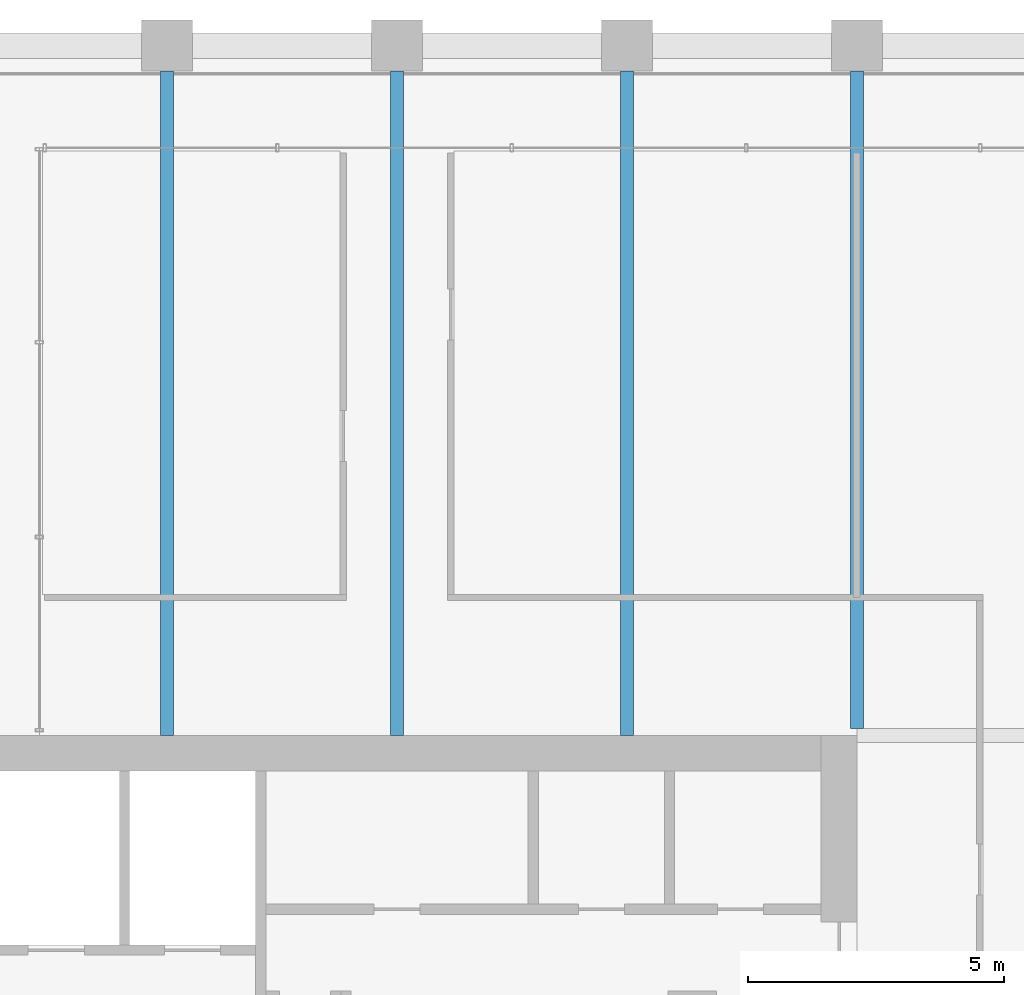
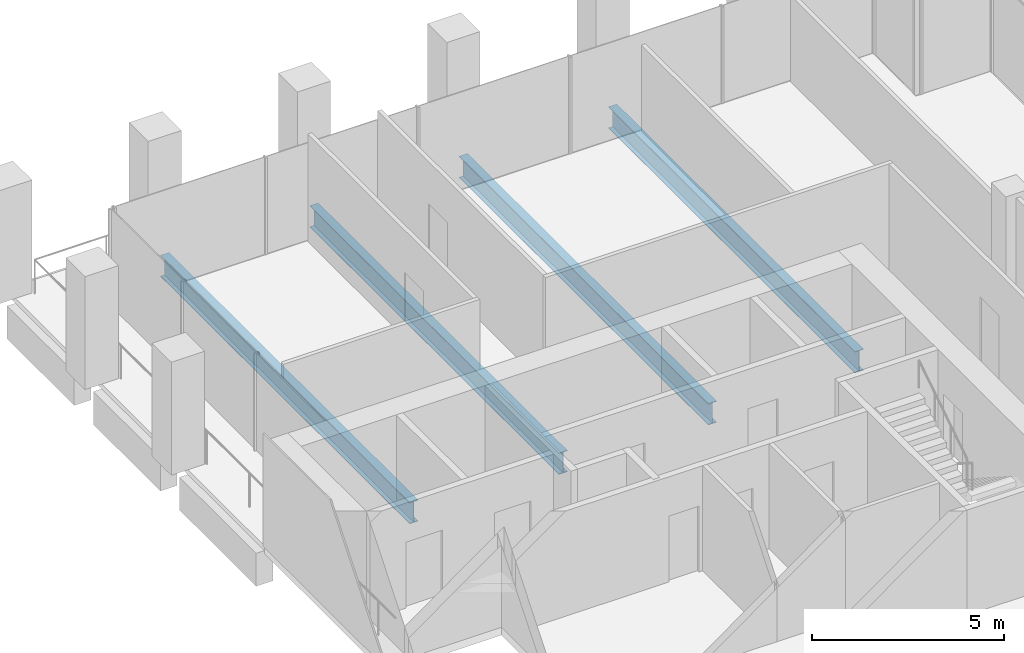
# One storey, part 22 of 46: 4 beams.
"""IFC4 building model written with IfcOpenShell, lengths in metres."""

from ifc_helpers import new_model, si_unit, direction, frame, origin, origin_2d, place, context, subcontext, project, spatial, i_section, extrude, material, material_profile, profile_set, type_object, element, save


model = new_model("IFC4")

# Units and contexts
model_context = context("Model", 3, precision=1e-05, world=origin(), true_north=direction((0.0, 1.0)))
body_context = subcontext(model_context, "Body", "Model", "MODEL_VIEW")
ifc_project = project(units=[si_unit("LENGTHUNIT", "METRE"), si_unit("AREAUNIT", "SQUARE_METRE"), si_unit("VOLUMEUNIT", "CUBIC_METRE"), si_unit("PLANEANGLEUNIT", "RADIAN"), si_unit("MASSUNIT", "GRAM", prefix="KILO")], contexts=[model_context])

# Site, building, storey
site_placement = place(None, origin())
site = spatial("IfcSite", under=ifc_project, at=site_placement, CompositionType="ELEMENT")
building_placement = place(site_placement, origin())
building = spatial("IfcBuilding", under=site, at=building_placement, Name="Altepetl Exchange Towers", CompositionType="ELEMENT")
storey_placement = place(building_placement, frame((0.0, 0.0, 102.800048828125)))
storey = spatial("IfcBuildingStorey", under=building, at=storey_placement, Name="L25", CompositionType="ELEMENT", Elevation=102.800048828125)

# Beams
ifc_material = material(Name="Steel S355", Category="steel")
ifc_material_profile = material_profile(ifc_material, i_section(OverallWidth=0.25390625, OverallDepth=0.68408203125, WebThickness=0.012451171875, FlangeThickness=0.018798828125, at=origin_2d()), Name="W27X94")
ifc_profile_set = profile_set([ifc_material_profile], Name="Steel S355")
beam_type = type_object("IfcBeamType", Name="Floor beam W27X94", PredefinedType="BEAM", material=ifc_profile_set)
for number, where, z_axis, x_axis, name in (
    (1, (45.0, 58.5, -0.491943359375), (0.0, 1.0, 0.0), (-1.0, 0.0, 0.0), "bm:A:L25:000"),
    (2, (49.5, 58.5, -0.491943359375), (0.0, 1.0, 0.0), (-1.0, 0.0, 0.0), "bm:A:L25:001"),
    (3, (54.0, 58.5, -0.491943359375), (0.0, 1.0, 0.0), (-1.0, 0.0, 0.0), "bm:A:L25:002"),
):
    element("IfcBeam", number, at=place(storey_placement, frame(where, z_axis=z_axis, x_axis=x_axis)), inside=storey, type_object=beam_type, Name=name, PredefinedType="BEAM", context=body_context, shape_type="SweptSolid", body=[
        extrude(i_section(OverallWidth=0.25390625, OverallDepth=0.68408203125, WebThickness=0.012451171875, FlangeThickness=0.018798828125, at=origin_2d()), origin(), (0.0, 0.0, 1.0), 13.0),
    ])
beam_placement = place(storey_placement, frame((58.5, 58.634033203125, -0.491943359375), z_axis=(0.0, 1.0, 0.0), x_axis=(-1.0, 0.0, 0.0)))
element("IfcBeam", 4, at=beam_placement, inside=storey, type_object=beam_type, Name="bm:A:L25:003", PredefinedType="BEAM", context=body_context, shape_type="SweptSolid", body=[
    extrude(i_section(OverallWidth=0.25390625, OverallDepth=0.68408203125, WebThickness=0.012451171875, FlangeThickness=0.018798828125, at=origin_2d()), origin(), (0.0, 0.0, 1.0), 12.865966796875),
])

save(model, "model.ifc")
